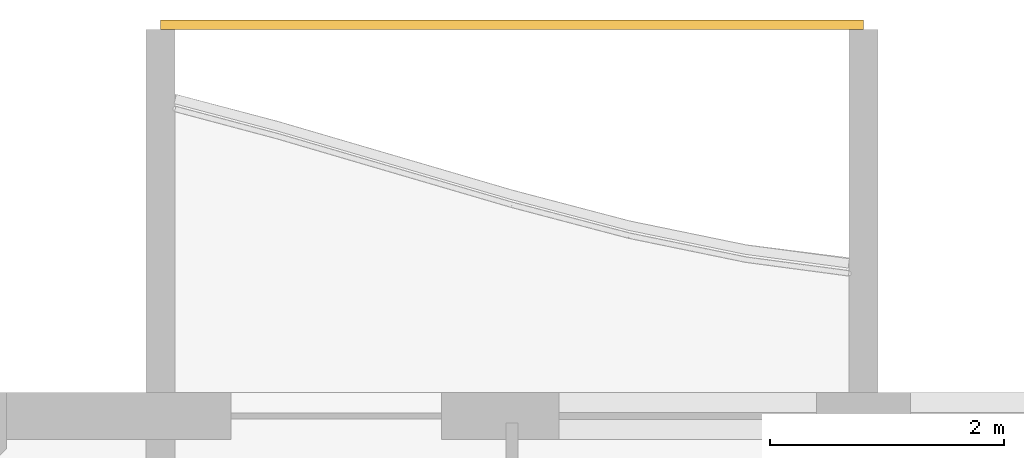
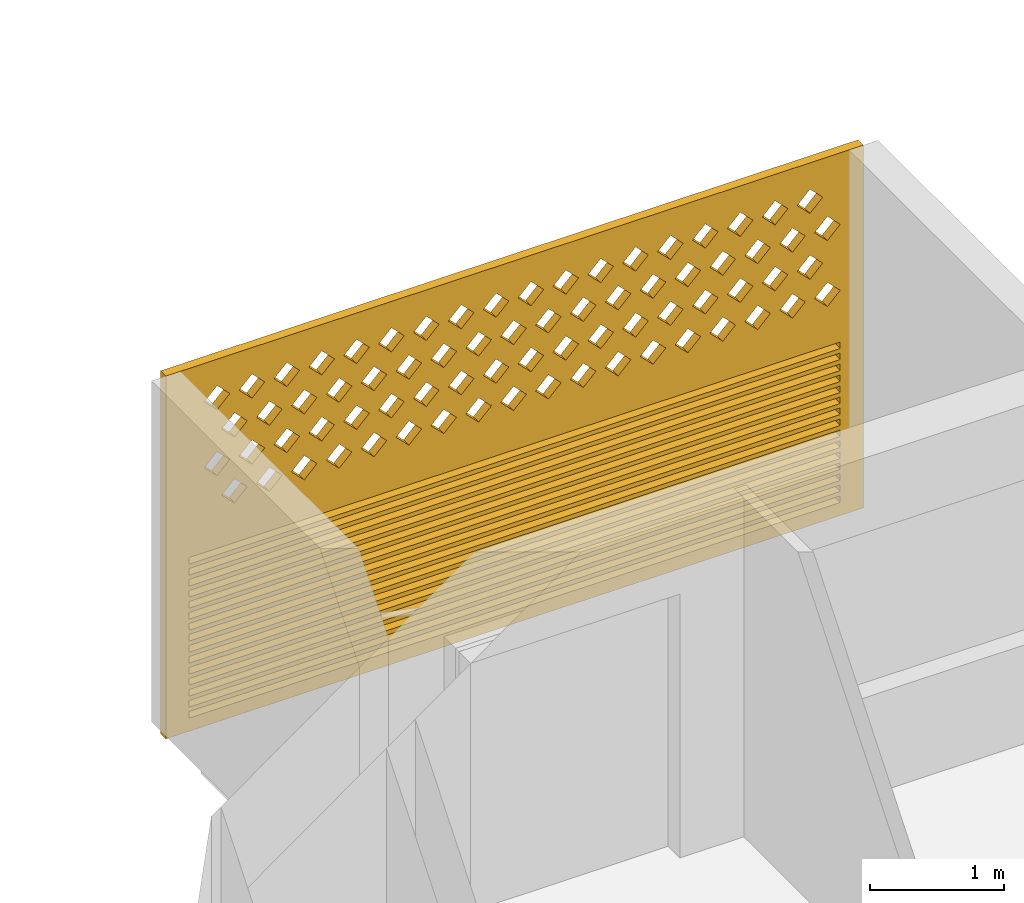
# One storey, part 16 of 26: 1 covering.
"""IFC4 building model written with IfcOpenShell, lengths in metres."""

from ifc_helpers import new_model, si_unit, direction, frame, origin, place, context, subcontext, project, spatial, polyline, outline, extrude, source, transform, mapped, material, material_profile, profile_set, type_object, element, save


model = new_model("IFC4")

# Units and contexts
model_context = context("Model", 3, precision=1e-05, world=origin(), true_north=direction((0.0, 1.0)))
body_context = subcontext(model_context, "Body", "Model", "MODEL_VIEW")
ifc_project = project(units=[si_unit("LENGTHUNIT", "METRE"), si_unit("AREAUNIT", "SQUARE_METRE"), si_unit("VOLUMEUNIT", "CUBIC_METRE"), si_unit("PLANEANGLEUNIT", "RADIAN"), si_unit("MASSUNIT", "GRAM", prefix="KILO")], contexts=[model_context])

# Site, building, storey
site_placement = place(None, origin())
site = spatial("IfcSite", under=ifc_project, at=site_placement, CompositionType="ELEMENT")
building_placement = place(site_placement, origin())
building = spatial("IfcBuilding", under=site, at=building_placement, Name="Poui Terraces", CompositionType="ELEMENT")
storey_placement = place(building_placement, frame((0.0, 0.0, 241.199951171875)))
storey = spatial("IfcBuildingStorey", under=building, at=storey_placement, Name="L67", CompositionType="ELEMENT", Elevation=241.199951171875)

# Covering
ifc_material = material(Name="Terracotta screen", Category="masonry")
ifc_material_profile = material_profile(ifc_material, outline(polyline([(-3.0, -1.64990234375), (3.0, -1.64990234375), (3.0, 1.64990234375), (-3.0, 1.64990234375), (-3.0, -1.64990234375)]), holes=[polyline([(-2.800048828125, 0.39990234375), (-2.68994140625, 0.2900390625), (-2.580078125, 0.39990234375), (-2.68994140625, 0.510009765625), (-2.800048828125, 0.39990234375)]), polyline([(-2.5, 0.39990234375), (-2.389892578125, 0.2900390625), (-2.280029296875, 0.39990234375), (-2.389892578125, 0.510009765625), (-2.5, 0.39990234375)]), polyline([(-2.199951171875, 0.39990234375), (-2.090087890625, 0.2900390625), (-1.97998046875, 0.39990234375), (-2.090087890625, 0.510009765625), (-2.199951171875, 0.39990234375)]), polyline([(-1.89990234375, 0.39990234375), (-1.7900390625, 0.2900390625), (-1.679931640625, 0.39990234375), (-1.7900390625, 0.510009765625), (-1.89990234375, 0.39990234375)]), polyline([(-1.60009765625, 0.39990234375), (-1.489990234375, 0.2900390625), (-1.3798828125, 0.39990234375), (-1.489990234375, 0.510009765625), (-1.60009765625, 0.39990234375)]), polyline([(-1.300048828125, 0.39990234375), (-1.18994140625, 0.2900390625), (-1.080078125, 0.39990234375), (-1.18994140625, 0.510009765625), (-1.300048828125, 0.39990234375)]), polyline([(-1.0, 0.39990234375), (-0.889892578125, 0.2900390625), (-0.780029296875, 0.39990234375), (-0.889892578125, 0.510009765625), (-1.0, 0.39990234375)]), polyline([(-0.699951171875, 0.39990234375), (-0.590087890625, 0.2900390625), (-0.47998046875, 0.39990234375), (-0.590087890625, 0.510009765625), (-0.699951171875, 0.39990234375)]), polyline([(-0.39990234375, 0.39990234375), (-0.2900390625, 0.2900390625), (-0.179931640625, 0.39990234375), (-0.2900390625, 0.510009765625), (-0.39990234375, 0.39990234375)]), polyline([(-0.10009765625, 0.39990234375), (0.010009765625, 0.2900390625), (0.1201171875, 0.39990234375), (0.010009765625, 0.510009765625), (-0.10009765625, 0.39990234375)]), polyline([(0.199951171875, 0.39990234375), (0.31005859375, 0.2900390625), (0.419921875, 0.39990234375), (0.31005859375, 0.510009765625), (0.199951171875, 0.39990234375)]), polyline([(0.5, 0.39990234375), (0.610107421875, 0.2900390625), (0.719970703125, 0.39990234375), (0.610107421875, 0.510009765625), (0.5, 0.39990234375)]), polyline([(0.800048828125, 0.39990234375), (0.909912109375, 0.2900390625), (1.02001953125, 0.39990234375), (0.909912109375, 0.510009765625), (0.800048828125, 0.39990234375)]), polyline([(1.10009765625, 0.39990234375), (1.2099609375, 0.2900390625), (1.320068359375, 0.39990234375), (1.2099609375, 0.510009765625), (1.10009765625, 0.39990234375)]), polyline([(1.39990234375, 0.39990234375), (1.510009765625, 0.2900390625), (1.6201171875, 0.39990234375), (1.510009765625, 0.510009765625), (1.39990234375, 0.39990234375)]), polyline([(1.699951171875, 0.39990234375), (1.81005859375, 0.2900390625), (1.919921875, 0.39990234375), (1.81005859375, 0.510009765625), (1.699951171875, 0.39990234375)]), polyline([(2.0, 0.39990234375), (2.110107421875, 0.2900390625), (2.219970703125, 0.39990234375), (2.110107421875, 0.510009765625), (2.0, 0.39990234375)]), polyline([(2.300048828125, 0.39990234375), (2.409912109375, 0.2900390625), (2.52001953125, 0.39990234375), (2.409912109375, 0.510009765625), (2.300048828125, 0.39990234375)]), polyline([(-2.64990234375, 0.699951171875), (-2.5400390625, 0.590087890625), (-2.429931640625, 0.699951171875), (-2.5400390625, 0.81005859375), (-2.64990234375, 0.699951171875)]), polyline([(-2.35009765625, 0.699951171875), (-2.239990234375, 0.590087890625), (-2.1298828125, 0.699951171875), (-2.239990234375, 0.81005859375), (-2.35009765625, 0.699951171875)]), polyline([(-2.050048828125, 0.699951171875), (-1.93994140625, 0.590087890625), (-1.830078125, 0.699951171875), (-1.93994140625, 0.81005859375), (-2.050048828125, 0.699951171875)]), polyline([(-1.75, 0.699951171875), (-1.639892578125, 0.590087890625), (-1.530029296875, 0.699951171875), (-1.639892578125, 0.81005859375), (-1.75, 0.699951171875)]), polyline([(-1.449951171875, 0.699951171875), (-1.340087890625, 0.590087890625), (-1.22998046875, 0.699951171875), (-1.340087890625, 0.81005859375), (-1.449951171875, 0.699951171875)]), polyline([(-1.14990234375, 0.699951171875), (-1.0400390625, 0.590087890625), (-0.929931640625, 0.699951171875), (-1.0400390625, 0.81005859375), (-1.14990234375, 0.699951171875)]), polyline([(-0.85009765625, 0.699951171875), (-0.739990234375, 0.590087890625), (-0.6298828125, 0.699951171875), (-0.739990234375, 0.81005859375), (-0.85009765625, 0.699951171875)]), polyline([(-0.550048828125, 0.699951171875), (-0.43994140625, 0.590087890625), (-0.330078125, 0.699951171875), (-0.43994140625, 0.81005859375), (-0.550048828125, 0.699951171875)]), polyline([(-0.25, 0.699951171875), (-0.139892578125, 0.590087890625), (-0.030029296875, 0.699951171875), (-0.139892578125, 0.81005859375), (-0.25, 0.699951171875)]), polyline([(0.050048828125, 0.699951171875), (0.159912109375, 0.590087890625), (0.27001953125, 0.699951171875), (0.159912109375, 0.81005859375), (0.050048828125, 0.699951171875)]), polyline([(0.35009765625, 0.699951171875), (0.4599609375, 0.590087890625), (0.570068359375, 0.699951171875), (0.4599609375, 0.81005859375), (0.35009765625, 0.699951171875)]), polyline([(0.64990234375, 0.699951171875), (0.760009765625, 0.590087890625), (0.8701171875, 0.699951171875), (0.760009765625, 0.81005859375), (0.64990234375, 0.699951171875)]), polyline([(0.949951171875, 0.699951171875), (1.06005859375, 0.590087890625), (1.169921875, 0.699951171875), (1.06005859375, 0.81005859375), (0.949951171875, 0.699951171875)]), polyline([(1.25, 0.699951171875), (1.360107421875, 0.590087890625), (1.469970703125, 0.699951171875), (1.360107421875, 0.81005859375), (1.25, 0.699951171875)]), polyline([(1.550048828125, 0.699951171875), (1.659912109375, 0.590087890625), (1.77001953125, 0.699951171875), (1.659912109375, 0.81005859375), (1.550048828125, 0.699951171875)]), polyline([(1.85009765625, 0.699951171875), (1.9599609375, 0.590087890625), (2.070068359375, 0.699951171875), (1.9599609375, 0.81005859375), (1.85009765625, 0.699951171875)]), polyline([(2.14990234375, 0.699951171875), (2.260009765625, 0.590087890625), (2.3701171875, 0.699951171875), (2.260009765625, 0.81005859375), (2.14990234375, 0.699951171875)]), polyline([(2.449951171875, 0.699951171875), (2.56005859375, 0.590087890625), (2.669921875, 0.699951171875), (2.56005859375, 0.81005859375), (2.449951171875, 0.699951171875)]), polyline([(-2.800048828125, 1.0), (-2.68994140625, 0.889892578125), (-2.580078125, 1.0), (-2.68994140625, 1.110107421875), (-2.800048828125, 1.0)]), polyline([(-2.5, 1.0), (-2.389892578125, 0.889892578125), (-2.280029296875, 1.0), (-2.389892578125, 1.110107421875), (-2.5, 1.0)]), polyline([(-2.199951171875, 1.0), (-2.090087890625, 0.889892578125), (-1.97998046875, 1.0), (-2.090087890625, 1.110107421875), (-2.199951171875, 1.0)]), polyline([(-1.89990234375, 1.0), (-1.7900390625, 0.889892578125), (-1.679931640625, 1.0), (-1.7900390625, 1.110107421875), (-1.89990234375, 1.0)]), polyline([(-1.60009765625, 1.0), (-1.489990234375, 0.889892578125), (-1.3798828125, 1.0), (-1.489990234375, 1.110107421875), (-1.60009765625, 1.0)]), polyline([(-1.300048828125, 1.0), (-1.18994140625, 0.889892578125), (-1.080078125, 1.0), (-1.18994140625, 1.110107421875), (-1.300048828125, 1.0)]), polyline([(-1.0, 1.0), (-0.889892578125, 0.889892578125), (-0.780029296875, 1.0), (-0.889892578125, 1.110107421875), (-1.0, 1.0)]), polyline([(-0.699951171875, 1.0), (-0.590087890625, 0.889892578125), (-0.47998046875, 1.0), (-0.590087890625, 1.110107421875), (-0.699951171875, 1.0)]), polyline([(-0.39990234375, 1.0), (-0.2900390625, 0.889892578125), (-0.179931640625, 1.0), (-0.2900390625, 1.110107421875), (-0.39990234375, 1.0)]), polyline([(-0.10009765625, 1.0), (0.010009765625, 0.889892578125), (0.1201171875, 1.0), (0.010009765625, 1.110107421875), (-0.10009765625, 1.0)]), polyline([(0.199951171875, 1.0), (0.31005859375, 0.889892578125), (0.419921875, 1.0), (0.31005859375, 1.110107421875), (0.199951171875, 1.0)]), polyline([(0.5, 1.0), (0.610107421875, 0.889892578125), (0.719970703125, 1.0), (0.610107421875, 1.110107421875), (0.5, 1.0)]), polyline([(0.800048828125, 1.0), (0.909912109375, 0.889892578125), (1.02001953125, 1.0), (0.909912109375, 1.110107421875), (0.800048828125, 1.0)]), polyline([(1.10009765625, 1.0), (1.2099609375, 0.889892578125), (1.320068359375, 1.0), (1.2099609375, 1.110107421875), (1.10009765625, 1.0)]), polyline([(1.39990234375, 1.0), (1.510009765625, 0.889892578125), (1.6201171875, 1.0), (1.510009765625, 1.110107421875), (1.39990234375, 1.0)]), polyline([(1.699951171875, 1.0), (1.81005859375, 0.889892578125), (1.919921875, 1.0), (1.81005859375, 1.110107421875), (1.699951171875, 1.0)]), polyline([(2.0, 1.0), (2.110107421875, 0.889892578125), (2.219970703125, 1.0), (2.110107421875, 1.110107421875), (2.0, 1.0)]), polyline([(2.300048828125, 1.0), (2.409912109375, 0.889892578125), (2.52001953125, 1.0), (2.409912109375, 1.110107421875), (2.300048828125, 1.0)]), polyline([(-2.64990234375, 1.300048828125), (-2.5400390625, 1.18994140625), (-2.429931640625, 1.300048828125), (-2.5400390625, 1.409912109375), (-2.64990234375, 1.300048828125)]), polyline([(-2.35009765625, 1.300048828125), (-2.239990234375, 1.18994140625), (-2.1298828125, 1.300048828125), (-2.239990234375, 1.409912109375), (-2.35009765625, 1.300048828125)]), polyline([(-2.050048828125, 1.300048828125), (-1.93994140625, 1.18994140625), (-1.830078125, 1.300048828125), (-1.93994140625, 1.409912109375), (-2.050048828125, 1.300048828125)]), polyline([(-1.75, 1.300048828125), (-1.639892578125, 1.18994140625), (-1.530029296875, 1.300048828125), (-1.639892578125, 1.409912109375), (-1.75, 1.300048828125)]), polyline([(-1.449951171875, 1.300048828125), (-1.340087890625, 1.18994140625), (-1.22998046875, 1.300048828125), (-1.340087890625, 1.409912109375), (-1.449951171875, 1.300048828125)]), polyline([(-1.14990234375, 1.300048828125), (-1.0400390625, 1.18994140625), (-0.929931640625, 1.300048828125), (-1.0400390625, 1.409912109375), (-1.14990234375, 1.300048828125)]), polyline([(-0.85009765625, 1.300048828125), (-0.739990234375, 1.18994140625), (-0.6298828125, 1.300048828125), (-0.739990234375, 1.409912109375), (-0.85009765625, 1.300048828125)]), polyline([(-0.550048828125, 1.300048828125), (-0.43994140625, 1.18994140625), (-0.330078125, 1.300048828125), (-0.43994140625, 1.409912109375), (-0.550048828125, 1.300048828125)]), polyline([(-0.25, 1.300048828125), (-0.139892578125, 1.18994140625), (-0.030029296875, 1.300048828125), (-0.139892578125, 1.409912109375), (-0.25, 1.300048828125)]), polyline([(0.050048828125, 1.300048828125), (0.159912109375, 1.18994140625), (0.27001953125, 1.300048828125), (0.159912109375, 1.409912109375), (0.050048828125, 1.300048828125)]), polyline([(0.35009765625, 1.300048828125), (0.4599609375, 1.18994140625), (0.570068359375, 1.300048828125), (0.4599609375, 1.409912109375), (0.35009765625, 1.300048828125)]), polyline([(0.64990234375, 1.300048828125), (0.760009765625, 1.18994140625), (0.8701171875, 1.300048828125), (0.760009765625, 1.409912109375), (0.64990234375, 1.300048828125)]), polyline([(0.949951171875, 1.300048828125), (1.06005859375, 1.18994140625), (1.169921875, 1.300048828125), (1.06005859375, 1.409912109375), (0.949951171875, 1.300048828125)]), polyline([(1.25, 1.300048828125), (1.360107421875, 1.18994140625), (1.469970703125, 1.300048828125), (1.360107421875, 1.409912109375), (1.25, 1.300048828125)]), polyline([(1.550048828125, 1.300048828125), (1.659912109375, 1.18994140625), (1.77001953125, 1.300048828125), (1.659912109375, 1.409912109375), (1.550048828125, 1.300048828125)]), polyline([(1.85009765625, 1.300048828125), (1.9599609375, 1.18994140625), (2.070068359375, 1.300048828125), (1.9599609375, 1.409912109375), (1.85009765625, 1.300048828125)]), polyline([(2.14990234375, 1.300048828125), (2.260009765625, 1.18994140625), (2.3701171875, 1.300048828125), (2.260009765625, 1.409912109375), (2.14990234375, 1.300048828125)]), polyline([(2.449951171875, 1.300048828125), (2.56005859375, 1.18994140625), (2.669921875, 1.300048828125), (2.56005859375, 1.409912109375), (2.449951171875, 1.300048828125)]), polyline([(-2.800048828125, -1.530029296875), (2.800048828125, -1.530029296875), (2.800048828125, -1.469970703125), (-2.800048828125, -1.469970703125), (-2.800048828125, -1.530029296875)]), polyline([(-2.800048828125, -1.429931640625), (2.800048828125, -1.429931640625), (2.800048828125, -1.3701171875), (-2.800048828125, -1.3701171875), (-2.800048828125, -1.429931640625)]), polyline([(-2.800048828125, -1.330078125), (2.800048828125, -1.330078125), (2.800048828125, -1.27001953125), (-2.800048828125, -1.27001953125), (-2.800048828125, -1.330078125)]), polyline([(-2.800048828125, -1.22998046875), (2.800048828125, -1.22998046875), (2.800048828125, -1.169921875), (-2.800048828125, -1.169921875), (-2.800048828125, -1.22998046875)]), polyline([(-2.800048828125, -1.1298828125), (2.800048828125, -1.1298828125), (2.800048828125, -1.070068359375), (-2.800048828125, -1.070068359375), (-2.800048828125, -1.1298828125)]), polyline([(-2.800048828125, -1.030029296875), (2.800048828125, -1.030029296875), (2.800048828125, -0.969970703125), (-2.800048828125, -0.969970703125), (-2.800048828125, -1.030029296875)]), polyline([(-2.800048828125, -0.929931640625), (2.800048828125, -0.929931640625), (2.800048828125, -0.8701171875), (-2.800048828125, -0.8701171875), (-2.800048828125, -0.929931640625)]), polyline([(-2.800048828125, -0.830078125), (2.800048828125, -0.830078125), (2.800048828125, -0.77001953125), (-2.800048828125, -0.77001953125), (-2.800048828125, -0.830078125)]), polyline([(-2.800048828125, -0.72998046875), (2.800048828125, -0.72998046875), (2.800048828125, -0.669921875), (-2.800048828125, -0.669921875), (-2.800048828125, -0.72998046875)]), polyline([(-2.800048828125, -0.6298828125), (2.800048828125, -0.6298828125), (2.800048828125, -0.570068359375), (-2.800048828125, -0.570068359375), (-2.800048828125, -0.6298828125)]), polyline([(-2.800048828125, -0.530029296875), (2.800048828125, -0.530029296875), (2.800048828125, -0.469970703125), (-2.800048828125, -0.469970703125), (-2.800048828125, -0.530029296875)]), polyline([(-2.800048828125, -0.429931640625), (2.800048828125, -0.429931640625), (2.800048828125, -0.3701171875), (-2.800048828125, -0.3701171875), (-2.800048828125, -0.429931640625)]), polyline([(-2.800048828125, -0.330078125), (2.800048828125, -0.330078125), (2.800048828125, -0.27001953125), (-2.800048828125, -0.27001953125), (-2.800048828125, -0.330078125)]), polyline([(-2.800048828125, -0.22998046875), (2.800048828125, -0.22998046875), (2.800048828125, -0.169921875), (-2.800048828125, -0.169921875), (-2.800048828125, -0.22998046875)]), polyline([(-2.800048828125, -0.1298828125), (2.800048828125, -0.1298828125), (2.800048828125, -0.070068359375), (-2.800048828125, -0.070068359375), (-2.800048828125, -0.1298828125)])]), Name="TERRACOTTA SCREEN AND JALOUSIE LOUVRE 6000X3300")
ifc_profile_set = profile_set([ifc_material_profile], Name="Terracotta screen")
covering_type = type_object("IfcCoveringType", Name="TERRACOTTA SCREEN AND JALOUSIE LOUVRE 6000X3300", PredefinedType="CLADDING", material=ifc_profile_set)
shared_shape = source(origin(), body_context, "Body", "SweptSolid", [
    extrude(outline(polyline([(-3.0, -1.64990234375), (3.0, -1.64990234375), (3.0, 1.64990234375), (-3.0, 1.64990234375), (-3.0, -1.64990234375)]), holes=[polyline([(-2.800048828125, 0.39990234375), (-2.68994140625, 0.2900390625), (-2.580078125, 0.39990234375), (-2.68994140625, 0.510009765625), (-2.800048828125, 0.39990234375)]), polyline([(-2.5, 0.39990234375), (-2.389892578125, 0.2900390625), (-2.280029296875, 0.39990234375), (-2.389892578125, 0.510009765625), (-2.5, 0.39990234375)]), polyline([(-2.199951171875, 0.39990234375), (-2.090087890625, 0.2900390625), (-1.97998046875, 0.39990234375), (-2.090087890625, 0.510009765625), (-2.199951171875, 0.39990234375)]), polyline([(-1.89990234375, 0.39990234375), (-1.7900390625, 0.2900390625), (-1.679931640625, 0.39990234375), (-1.7900390625, 0.510009765625), (-1.89990234375, 0.39990234375)]), polyline([(-1.60009765625, 0.39990234375), (-1.489990234375, 0.2900390625), (-1.3798828125, 0.39990234375), (-1.489990234375, 0.510009765625), (-1.60009765625, 0.39990234375)]), polyline([(-1.300048828125, 0.39990234375), (-1.18994140625, 0.2900390625), (-1.080078125, 0.39990234375), (-1.18994140625, 0.510009765625), (-1.300048828125, 0.39990234375)]), polyline([(-1.0, 0.39990234375), (-0.889892578125, 0.2900390625), (-0.780029296875, 0.39990234375), (-0.889892578125, 0.510009765625), (-1.0, 0.39990234375)]), polyline([(-0.699951171875, 0.39990234375), (-0.590087890625, 0.2900390625), (-0.47998046875, 0.39990234375), (-0.590087890625, 0.510009765625), (-0.699951171875, 0.39990234375)]), polyline([(-0.39990234375, 0.39990234375), (-0.2900390625, 0.2900390625), (-0.179931640625, 0.39990234375), (-0.2900390625, 0.510009765625), (-0.39990234375, 0.39990234375)]), polyline([(-0.10009765625, 0.39990234375), (0.010009765625, 0.2900390625), (0.1201171875, 0.39990234375), (0.010009765625, 0.510009765625), (-0.10009765625, 0.39990234375)]), polyline([(0.199951171875, 0.39990234375), (0.31005859375, 0.2900390625), (0.419921875, 0.39990234375), (0.31005859375, 0.510009765625), (0.199951171875, 0.39990234375)]), polyline([(0.5, 0.39990234375), (0.610107421875, 0.2900390625), (0.719970703125, 0.39990234375), (0.610107421875, 0.510009765625), (0.5, 0.39990234375)]), polyline([(0.800048828125, 0.39990234375), (0.909912109375, 0.2900390625), (1.02001953125, 0.39990234375), (0.909912109375, 0.510009765625), (0.800048828125, 0.39990234375)]), polyline([(1.10009765625, 0.39990234375), (1.2099609375, 0.2900390625), (1.320068359375, 0.39990234375), (1.2099609375, 0.510009765625), (1.10009765625, 0.39990234375)]), polyline([(1.39990234375, 0.39990234375), (1.510009765625, 0.2900390625), (1.6201171875, 0.39990234375), (1.510009765625, 0.510009765625), (1.39990234375, 0.39990234375)]), polyline([(1.699951171875, 0.39990234375), (1.81005859375, 0.2900390625), (1.919921875, 0.39990234375), (1.81005859375, 0.510009765625), (1.699951171875, 0.39990234375)]), polyline([(2.0, 0.39990234375), (2.110107421875, 0.2900390625), (2.219970703125, 0.39990234375), (2.110107421875, 0.510009765625), (2.0, 0.39990234375)]), polyline([(2.300048828125, 0.39990234375), (2.409912109375, 0.2900390625), (2.52001953125, 0.39990234375), (2.409912109375, 0.510009765625), (2.300048828125, 0.39990234375)]), polyline([(-2.64990234375, 0.699951171875), (-2.5400390625, 0.590087890625), (-2.429931640625, 0.699951171875), (-2.5400390625, 0.81005859375), (-2.64990234375, 0.699951171875)]), polyline([(-2.35009765625, 0.699951171875), (-2.239990234375, 0.590087890625), (-2.1298828125, 0.699951171875), (-2.239990234375, 0.81005859375), (-2.35009765625, 0.699951171875)]), polyline([(-2.050048828125, 0.699951171875), (-1.93994140625, 0.590087890625), (-1.830078125, 0.699951171875), (-1.93994140625, 0.81005859375), (-2.050048828125, 0.699951171875)]), polyline([(-1.75, 0.699951171875), (-1.639892578125, 0.590087890625), (-1.530029296875, 0.699951171875), (-1.639892578125, 0.81005859375), (-1.75, 0.699951171875)]), polyline([(-1.449951171875, 0.699951171875), (-1.340087890625, 0.590087890625), (-1.22998046875, 0.699951171875), (-1.340087890625, 0.81005859375), (-1.449951171875, 0.699951171875)]), polyline([(-1.14990234375, 0.699951171875), (-1.0400390625, 0.590087890625), (-0.929931640625, 0.699951171875), (-1.0400390625, 0.81005859375), (-1.14990234375, 0.699951171875)]), polyline([(-0.85009765625, 0.699951171875), (-0.739990234375, 0.590087890625), (-0.6298828125, 0.699951171875), (-0.739990234375, 0.81005859375), (-0.85009765625, 0.699951171875)]), polyline([(-0.550048828125, 0.699951171875), (-0.43994140625, 0.590087890625), (-0.330078125, 0.699951171875), (-0.43994140625, 0.81005859375), (-0.550048828125, 0.699951171875)]), polyline([(-0.25, 0.699951171875), (-0.139892578125, 0.590087890625), (-0.030029296875, 0.699951171875), (-0.139892578125, 0.81005859375), (-0.25, 0.699951171875)]), polyline([(0.050048828125, 0.699951171875), (0.159912109375, 0.590087890625), (0.27001953125, 0.699951171875), (0.159912109375, 0.81005859375), (0.050048828125, 0.699951171875)]), polyline([(0.35009765625, 0.699951171875), (0.4599609375, 0.590087890625), (0.570068359375, 0.699951171875), (0.4599609375, 0.81005859375), (0.35009765625, 0.699951171875)]), polyline([(0.64990234375, 0.699951171875), (0.760009765625, 0.590087890625), (0.8701171875, 0.699951171875), (0.760009765625, 0.81005859375), (0.64990234375, 0.699951171875)]), polyline([(0.949951171875, 0.699951171875), (1.06005859375, 0.590087890625), (1.169921875, 0.699951171875), (1.06005859375, 0.81005859375), (0.949951171875, 0.699951171875)]), polyline([(1.25, 0.699951171875), (1.360107421875, 0.590087890625), (1.469970703125, 0.699951171875), (1.360107421875, 0.81005859375), (1.25, 0.699951171875)]), polyline([(1.550048828125, 0.699951171875), (1.659912109375, 0.590087890625), (1.77001953125, 0.699951171875), (1.659912109375, 0.81005859375), (1.550048828125, 0.699951171875)]), polyline([(1.85009765625, 0.699951171875), (1.9599609375, 0.590087890625), (2.070068359375, 0.699951171875), (1.9599609375, 0.81005859375), (1.85009765625, 0.699951171875)]), polyline([(2.14990234375, 0.699951171875), (2.260009765625, 0.590087890625), (2.3701171875, 0.699951171875), (2.260009765625, 0.81005859375), (2.14990234375, 0.699951171875)]), polyline([(2.449951171875, 0.699951171875), (2.56005859375, 0.590087890625), (2.669921875, 0.699951171875), (2.56005859375, 0.81005859375), (2.449951171875, 0.699951171875)]), polyline([(-2.800048828125, 1.0), (-2.68994140625, 0.889892578125), (-2.580078125, 1.0), (-2.68994140625, 1.110107421875), (-2.800048828125, 1.0)]), polyline([(-2.5, 1.0), (-2.389892578125, 0.889892578125), (-2.280029296875, 1.0), (-2.389892578125, 1.110107421875), (-2.5, 1.0)]), polyline([(-2.199951171875, 1.0), (-2.090087890625, 0.889892578125), (-1.97998046875, 1.0), (-2.090087890625, 1.110107421875), (-2.199951171875, 1.0)]), polyline([(-1.89990234375, 1.0), (-1.7900390625, 0.889892578125), (-1.679931640625, 1.0), (-1.7900390625, 1.110107421875), (-1.89990234375, 1.0)]), polyline([(-1.60009765625, 1.0), (-1.489990234375, 0.889892578125), (-1.3798828125, 1.0), (-1.489990234375, 1.110107421875), (-1.60009765625, 1.0)]), polyline([(-1.300048828125, 1.0), (-1.18994140625, 0.889892578125), (-1.080078125, 1.0), (-1.18994140625, 1.110107421875), (-1.300048828125, 1.0)]), polyline([(-1.0, 1.0), (-0.889892578125, 0.889892578125), (-0.780029296875, 1.0), (-0.889892578125, 1.110107421875), (-1.0, 1.0)]), polyline([(-0.699951171875, 1.0), (-0.590087890625, 0.889892578125), (-0.47998046875, 1.0), (-0.590087890625, 1.110107421875), (-0.699951171875, 1.0)]), polyline([(-0.39990234375, 1.0), (-0.2900390625, 0.889892578125), (-0.179931640625, 1.0), (-0.2900390625, 1.110107421875), (-0.39990234375, 1.0)]), polyline([(-0.10009765625, 1.0), (0.010009765625, 0.889892578125), (0.1201171875, 1.0), (0.010009765625, 1.110107421875), (-0.10009765625, 1.0)]), polyline([(0.199951171875, 1.0), (0.31005859375, 0.889892578125), (0.419921875, 1.0), (0.31005859375, 1.110107421875), (0.199951171875, 1.0)]), polyline([(0.5, 1.0), (0.610107421875, 0.889892578125), (0.719970703125, 1.0), (0.610107421875, 1.110107421875), (0.5, 1.0)]), polyline([(0.800048828125, 1.0), (0.909912109375, 0.889892578125), (1.02001953125, 1.0), (0.909912109375, 1.110107421875), (0.800048828125, 1.0)]), polyline([(1.10009765625, 1.0), (1.2099609375, 0.889892578125), (1.320068359375, 1.0), (1.2099609375, 1.110107421875), (1.10009765625, 1.0)]), polyline([(1.39990234375, 1.0), (1.510009765625, 0.889892578125), (1.6201171875, 1.0), (1.510009765625, 1.110107421875), (1.39990234375, 1.0)]), polyline([(1.699951171875, 1.0), (1.81005859375, 0.889892578125), (1.919921875, 1.0), (1.81005859375, 1.110107421875), (1.699951171875, 1.0)]), polyline([(2.0, 1.0), (2.110107421875, 0.889892578125), (2.219970703125, 1.0), (2.110107421875, 1.110107421875), (2.0, 1.0)]), polyline([(2.300048828125, 1.0), (2.409912109375, 0.889892578125), (2.52001953125, 1.0), (2.409912109375, 1.110107421875), (2.300048828125, 1.0)]), polyline([(-2.64990234375, 1.300048828125), (-2.5400390625, 1.18994140625), (-2.429931640625, 1.300048828125), (-2.5400390625, 1.409912109375), (-2.64990234375, 1.300048828125)]), polyline([(-2.35009765625, 1.300048828125), (-2.239990234375, 1.18994140625), (-2.1298828125, 1.300048828125), (-2.239990234375, 1.409912109375), (-2.35009765625, 1.300048828125)]), polyline([(-2.050048828125, 1.300048828125), (-1.93994140625, 1.18994140625), (-1.830078125, 1.300048828125), (-1.93994140625, 1.409912109375), (-2.050048828125, 1.300048828125)]), polyline([(-1.75, 1.300048828125), (-1.639892578125, 1.18994140625), (-1.530029296875, 1.300048828125), (-1.639892578125, 1.409912109375), (-1.75, 1.300048828125)]), polyline([(-1.449951171875, 1.300048828125), (-1.340087890625, 1.18994140625), (-1.22998046875, 1.300048828125), (-1.340087890625, 1.409912109375), (-1.449951171875, 1.300048828125)]), polyline([(-1.14990234375, 1.300048828125), (-1.0400390625, 1.18994140625), (-0.929931640625, 1.300048828125), (-1.0400390625, 1.409912109375), (-1.14990234375, 1.300048828125)]), polyline([(-0.85009765625, 1.300048828125), (-0.739990234375, 1.18994140625), (-0.6298828125, 1.300048828125), (-0.739990234375, 1.409912109375), (-0.85009765625, 1.300048828125)]), polyline([(-0.550048828125, 1.300048828125), (-0.43994140625, 1.18994140625), (-0.330078125, 1.300048828125), (-0.43994140625, 1.409912109375), (-0.550048828125, 1.300048828125)]), polyline([(-0.25, 1.300048828125), (-0.139892578125, 1.18994140625), (-0.030029296875, 1.300048828125), (-0.139892578125, 1.409912109375), (-0.25, 1.300048828125)]), polyline([(0.050048828125, 1.300048828125), (0.159912109375, 1.18994140625), (0.27001953125, 1.300048828125), (0.159912109375, 1.409912109375), (0.050048828125, 1.300048828125)]), polyline([(0.35009765625, 1.300048828125), (0.4599609375, 1.18994140625), (0.570068359375, 1.300048828125), (0.4599609375, 1.409912109375), (0.35009765625, 1.300048828125)]), polyline([(0.64990234375, 1.300048828125), (0.760009765625, 1.18994140625), (0.8701171875, 1.300048828125), (0.760009765625, 1.409912109375), (0.64990234375, 1.300048828125)]), polyline([(0.949951171875, 1.300048828125), (1.06005859375, 1.18994140625), (1.169921875, 1.300048828125), (1.06005859375, 1.409912109375), (0.949951171875, 1.300048828125)]), polyline([(1.25, 1.300048828125), (1.360107421875, 1.18994140625), (1.469970703125, 1.300048828125), (1.360107421875, 1.409912109375), (1.25, 1.300048828125)]), polyline([(1.550048828125, 1.300048828125), (1.659912109375, 1.18994140625), (1.77001953125, 1.300048828125), (1.659912109375, 1.409912109375), (1.550048828125, 1.300048828125)]), polyline([(1.85009765625, 1.300048828125), (1.9599609375, 1.18994140625), (2.070068359375, 1.300048828125), (1.9599609375, 1.409912109375), (1.85009765625, 1.300048828125)]), polyline([(2.14990234375, 1.300048828125), (2.260009765625, 1.18994140625), (2.3701171875, 1.300048828125), (2.260009765625, 1.409912109375), (2.14990234375, 1.300048828125)]), polyline([(2.449951171875, 1.300048828125), (2.56005859375, 1.18994140625), (2.669921875, 1.300048828125), (2.56005859375, 1.409912109375), (2.449951171875, 1.300048828125)]), polyline([(-2.800048828125, -1.530029296875), (2.800048828125, -1.530029296875), (2.800048828125, -1.469970703125), (-2.800048828125, -1.469970703125), (-2.800048828125, -1.530029296875)]), polyline([(-2.800048828125, -1.429931640625), (2.800048828125, -1.429931640625), (2.800048828125, -1.3701171875), (-2.800048828125, -1.3701171875), (-2.800048828125, -1.429931640625)]), polyline([(-2.800048828125, -1.330078125), (2.800048828125, -1.330078125), (2.800048828125, -1.27001953125), (-2.800048828125, -1.27001953125), (-2.800048828125, -1.330078125)]), polyline([(-2.800048828125, -1.22998046875), (2.800048828125, -1.22998046875), (2.800048828125, -1.169921875), (-2.800048828125, -1.169921875), (-2.800048828125, -1.22998046875)]), polyline([(-2.800048828125, -1.1298828125), (2.800048828125, -1.1298828125), (2.800048828125, -1.070068359375), (-2.800048828125, -1.070068359375), (-2.800048828125, -1.1298828125)]), polyline([(-2.800048828125, -1.030029296875), (2.800048828125, -1.030029296875), (2.800048828125, -0.969970703125), (-2.800048828125, -0.969970703125), (-2.800048828125, -1.030029296875)]), polyline([(-2.800048828125, -0.929931640625), (2.800048828125, -0.929931640625), (2.800048828125, -0.8701171875), (-2.800048828125, -0.8701171875), (-2.800048828125, -0.929931640625)]), polyline([(-2.800048828125, -0.830078125), (2.800048828125, -0.830078125), (2.800048828125, -0.77001953125), (-2.800048828125, -0.77001953125), (-2.800048828125, -0.830078125)]), polyline([(-2.800048828125, -0.72998046875), (2.800048828125, -0.72998046875), (2.800048828125, -0.669921875), (-2.800048828125, -0.669921875), (-2.800048828125, -0.72998046875)]), polyline([(-2.800048828125, -0.6298828125), (2.800048828125, -0.6298828125), (2.800048828125, -0.570068359375), (-2.800048828125, -0.570068359375), (-2.800048828125, -0.6298828125)]), polyline([(-2.800048828125, -0.530029296875), (2.800048828125, -0.530029296875), (2.800048828125, -0.469970703125), (-2.800048828125, -0.469970703125), (-2.800048828125, -0.530029296875)]), polyline([(-2.800048828125, -0.429931640625), (2.800048828125, -0.429931640625), (2.800048828125, -0.3701171875), (-2.800048828125, -0.3701171875), (-2.800048828125, -0.429931640625)]), polyline([(-2.800048828125, -0.330078125), (2.800048828125, -0.330078125), (2.800048828125, -0.27001953125), (-2.800048828125, -0.27001953125), (-2.800048828125, -0.330078125)]), polyline([(-2.800048828125, -0.22998046875), (2.800048828125, -0.22998046875), (2.800048828125, -0.169921875), (-2.800048828125, -0.169921875), (-2.800048828125, -0.22998046875)]), polyline([(-2.800048828125, -0.1298828125), (2.800048828125, -0.1298828125), (2.800048828125, -0.070068359375), (-2.800048828125, -0.070068359375), (-2.800048828125, -0.1298828125)])]), origin(), (0.0, 0.0, 1.0), 0.080078125),
])
covering_placement = place(storey_placement, frame((27.0, 44.5, 1.449951171875), z_axis=(0.0, 1.0, 0.0), x_axis=(-1.0, 0.0, 0.0)))
element("IfcCovering", 1, at=covering_placement, inside=storey, type_object=covering_type, Name="SOLAR SCREEN AND JALOUSIE LOUVRE", PredefinedType="CLADDING", context=body_context, shape_type="MappedRepresentation", body=[
    mapped(shared_shape, transform((0.0, 0.0, 0.0))),
])

save(model, "model.ifc")
